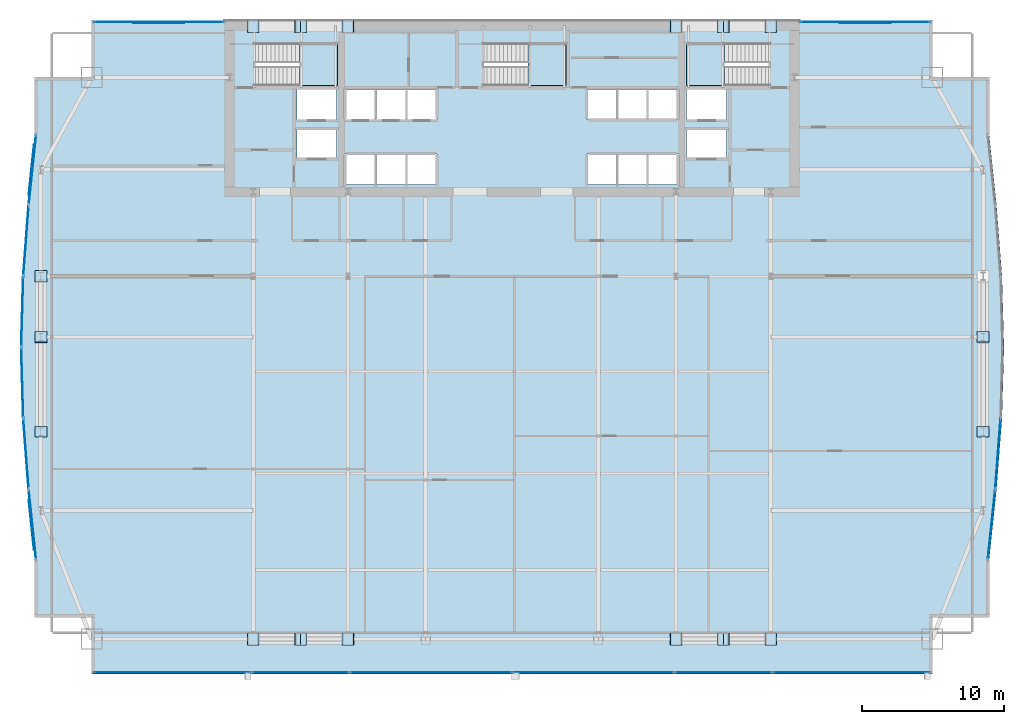
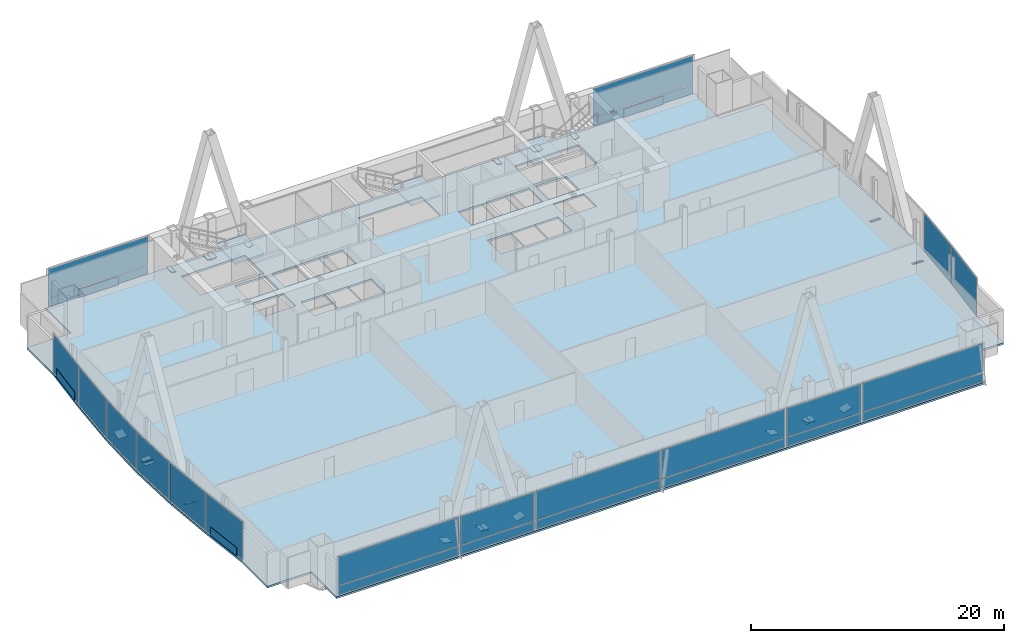
# One storey, part 26 of 32: 50 plates, 4 slabs, 18 elements without a shape of their own.
"""IFC4 building model written with IfcOpenShell, lengths in metres."""

from ifc_helpers import new_model, si_unit, direction, frame, origin, origin_2d, place, context, subcontext, project, spatial, polyline, rectangle, outline, extrude, material, layer, layer_set, type_object, element, aggregate, save


model = new_model("IFC4")

# Units and contexts
model_context = context("Model", 3, precision=1e-05, world=origin(), true_north=direction((0.0, 1.0)))
body_context = subcontext(model_context, "Body", "Model", "MODEL_VIEW")
ifc_project = project(units=[si_unit("LENGTHUNIT", "METRE"), si_unit("AREAUNIT", "SQUARE_METRE"), si_unit("VOLUMEUNIT", "CUBIC_METRE"), si_unit("PLANEANGLEUNIT", "RADIAN"), si_unit("MASSUNIT", "GRAM", prefix="KILO")], contexts=[model_context])

# Site, building, storey
site_placement = place(None, origin())
site = spatial("IfcSite", under=ifc_project, at=site_placement, CompositionType="ELEMENT")
building_placement = place(site_placement, origin())
building = spatial("IfcBuilding", under=site, at=building_placement, Name="Khoronbel Lancet Exchange", CompositionType="ELEMENT")
storey_placement = place(building_placement, frame((0.0, 0.0, 94.60009765625)))
storey = spatial("IfcBuildingStorey", under=building, at=storey_placement, Name="L22", CompositionType="ELEMENT", Elevation=94.60009765625)

# Curtain wall, plate
ifc_material_1 = material(Name="Low-E Solar Control Insulating Glass", Category="glass")
curtain_wall_type_1 = type_object("IfcCurtainWallType", Name="CW-4", PredefinedType="NOTDEFINED", material=ifc_material_1)
curtain_wall_1_placement = place(storey_placement, origin())
curtain_wall_1 = element("IfcCurtainWall", 1, at=curtain_wall_1_placement, inside=storey, type_object=curtain_wall_type_1, Name="Unitised curtain wall CW-L22-E04", PredefinedType="NOTDEFINED")
ifc_material_2 = material(Name="Bronze-Anodised Aluminium 6063-T6", Category="aluminium")
ifc_layer_1 = layer(ifc_material_2, 0.050048828125, Name="Bronze-Anodised Aluminium 6063-T6")
ifc_layer_set_1 = layer_set([ifc_layer_1], Name="Bronze-Anodised Aluminium 6063-T6")
plate_type_1 = type_object("IfcPlateType", Name="PLT-CSP1", PredefinedType="SHEET", material=ifc_layer_set_1)
plate_1_placement = place(storey_placement, frame((2.61767578125, 18.2001953125, 0.0498046875), z_axis=(0.0, 0.0, 1.0), x_axis=(-0.104434383958, 0.994531779003, 0.0)))
plate_1 = element("IfcPlate", 2, at=plate_1_placement, type_object=plate_type_1, Name="Insulated bronze spandrel cassette CW-L22-E04", PredefinedType="SHEET", context=body_context, shape_type="SweptSolid", body=[
    extrude(rectangle(XDim=3.521484375, YDim=0.050048828125, at=origin_2d()), origin(), (0.0, 0.0, 1.0), 0.800048828125),
])

curtain_wall_2_placement = place(storey_placement, origin())
curtain_wall_2 = element("IfcCurtainWall", 3, at=curtain_wall_2_placement, inside=storey, type_object=curtain_wall_type_1, Name="Unitised curtain wall CW-L22-E05", PredefinedType="NOTDEFINED")
plate_2_placement = place(storey_placement, frame((2.22265625, 23.206298828125, 0.0849609375), z_axis=(0.0, 0.0, 1.0), x_axis=(-0.076626304874, 0.997059882555, 0.0)))
plate_2 = element("IfcPlate", 4, at=plate_2_placement, type_object=plate_type_1, Name="CW4 panel 1.1", PredefinedType="CURTAIN_PANEL", context=body_context, shape_type="SweptSolid", body=[
    extrude(rectangle(XDim=4.861328125, YDim=0.0380859375, at=origin_2d()), origin(), (0.0, 0.0, 1.0), 3.64990234375),
])
aggregate(curtain_wall_2, [plate_2])

curtain_wall_3_placement = place(storey_placement, origin())
curtain_wall_3 = element("IfcCurtainWall", 5, at=curtain_wall_3_placement, inside=storey, type_object=curtain_wall_type_1, Name="Unitised curtain wall CW-L22-E06", PredefinedType="NOTDEFINED")
plate_3_placement = place(storey_placement, frame((1.960205078125, 28.202392578125, 0.0849609375), z_axis=(0.0, 0.0, 1.0), x_axis=(-0.028135315146, 0.999604123662, 0.0)))
plate_3 = element("IfcPlate", 6, at=plate_3_placement, type_object=plate_type_1, Name="CW4 panel 1.1", PredefinedType="CURTAIN_PANEL", context=body_context, shape_type="SweptSolid", body=[
    extrude(rectangle(XDim=4.84716796875, YDim=0.0380859375, at=origin_2d()), origin(), (0.0, 0.0, 1.0), 3.64990234375),
])
aggregate(curtain_wall_3, [plate_3])

curtain_wall_4_placement = place(storey_placement, origin())
curtain_wall_4 = element("IfcCurtainWall", 7, at=curtain_wall_4_placement, inside=storey, type_object=curtain_wall_type_1, Name="Unitised curtain wall CW-L22-E07", PredefinedType="NOTDEFINED")
plate_4_placement = place(storey_placement, frame((1.960205078125, 33.19775390625, 0.0849609375), z_axis=(0.0, 0.0, 1.0), x_axis=(0.028135315146, 0.999604123662, 0.0)))
plate_4 = element("IfcPlate", 8, at=plate_4_placement, type_object=plate_type_1, Name="CW4 panel 1.1", PredefinedType="CURTAIN_PANEL", context=body_context, shape_type="SweptSolid", body=[
    extrude(rectangle(XDim=4.84716796875, YDim=0.0380859375, at=origin_2d()), origin(), (0.0, 0.0, 1.0), 3.64990234375),
])
aggregate(curtain_wall_4, [plate_4])

curtain_wall_5_placement = place(storey_placement, origin())
curtain_wall_5 = element("IfcCurtainWall", 9, at=curtain_wall_5_placement, inside=storey, type_object=curtain_wall_type_1, Name="Unitised curtain wall CW-L22-E08", PredefinedType="NOTDEFINED")
plate_5_placement = place(storey_placement, frame((2.22265625, 38.193603515625, 0.0849609375), z_axis=(0.0, 0.0, 1.0), x_axis=(0.076626304874, 0.997059882555, 0.0)))
plate_5 = element("IfcPlate", 10, at=plate_5_placement, type_object=plate_type_1, Name="CW4 panel 1.1", PredefinedType="CURTAIN_PANEL", context=body_context, shape_type="SweptSolid", body=[
    extrude(rectangle(XDim=4.861328125, YDim=0.0380859375, at=origin_2d()), origin(), (0.0, 0.0, 1.0), 3.64990234375),
])
aggregate(curtain_wall_5, [plate_5])

curtain_wall_6_placement = place(storey_placement, origin())
curtain_wall_6 = element("IfcCurtainWall", 11, at=curtain_wall_6_placement, inside=storey, type_object=curtain_wall_type_1, Name="Unitised curtain wall CW-L22-E09", PredefinedType="NOTDEFINED")
plate_6_placement = place(storey_placement, frame((2.61767578125, 43.199951171875, 0.0498046875), z_axis=(0.0, 0.0, 1.0), x_axis=(0.104434383958, 0.994531779003, 0.0)))
plate_6 = element("IfcPlate", 12, at=plate_6_placement, type_object=plate_type_1, Name="Insulated bronze spandrel cassette CW-L22-E09", PredefinedType="SHEET", context=body_context, shape_type="SweptSolid", body=[
    extrude(rectangle(XDim=3.521484375, YDim=0.050048828125, at=origin_2d()), origin(), (0.0, 0.0, 1.0), 0.800048828125),
])

curtain_wall_type_2 = type_object("IfcCurtainWallType", Name="CW-2", PredefinedType="NOTDEFINED", material=ifc_material_1)
curtain_wall_7_placement = place(storey_placement, origin())
curtain_wall_7 = element("IfcCurtainWall", 13, at=curtain_wall_7_placement, inside=storey, type_object=curtain_wall_type_2, Name="Unitised curtain wall CW-L22-NWFLK", PredefinedType="NOTDEFINED")
plate_7_placement = place(storey_placement, frame((11.580078125, 53.550048828125, 0.0498046875), z_axis=(0.0, 0.0, 1.0), x_axis=(-1.0, 0.0, 0.0)))
plate_7 = element("IfcPlate", 14, at=plate_7_placement, type_object=plate_type_1, Name="Insulated bronze spandrel cassette CW-L22-NWFLK", PredefinedType="SHEET", context=body_context, shape_type="SweptSolid", body=[
    extrude(rectangle(XDim=3.60009765625, YDim=0.050048828125, at=origin_2d()), origin(), (0.0, 0.0, 1.0), 0.800048828125),
])

curtain_wall_8_placement = place(storey_placement, origin())
curtain_wall_8 = element("IfcCurtainWall", 15, at=curtain_wall_8_placement, inside=storey, type_object=curtain_wall_type_2, Name="Unitised curtain wall CW-L22-NEFLK", PredefinedType="NOTDEFINED")
plate_8_placement = place(storey_placement, frame((61.320068359375, 53.550048828125, 0.0498046875), z_axis=(0.0, 0.0, 1.0), x_axis=(-1.0, 0.0, 0.0)))
plate_8 = element("IfcPlate", 16, at=plate_8_placement, type_object=plate_type_1, Name="Insulated bronze spandrel cassette CW-L22-NEFLK", PredefinedType="SHEET", context=body_context, shape_type="SweptSolid", body=[
    extrude(rectangle(XDim=3.60009765625, YDim=0.050048828125, at=origin_2d()), origin(), (0.0, 0.0, 1.0), 0.800048828125),
])

curtain_wall_9_placement = place(storey_placement, origin())
curtain_wall_9 = element("IfcCurtainWall", 17, at=curtain_wall_9_placement, inside=storey, type_object=curtain_wall_type_1, Name="Unitised curtain wall CW-L22-E21", PredefinedType="NOTDEFINED")
plate_9_placement = place(storey_placement, frame((70.677490234375, 23.206298828125, 0.0849609375), z_axis=(0.0, 0.0, 1.0), x_axis=(-0.076626304874, -0.997059882555, 0.0)))
plate_9 = element("IfcPlate", 18, at=plate_9_placement, type_object=plate_type_1, Name="CW4 panel 1.1", PredefinedType="CURTAIN_PANEL", context=body_context, shape_type="SweptSolid", body=[
    extrude(rectangle(XDim=4.861328125, YDim=0.0380859375, at=origin_2d()), origin(), (0.0, 0.0, 1.0), 3.64990234375),
])
aggregate(curtain_wall_9, [plate_9])

# Curtain wall, plates
curtain_wall_10_placement = place(storey_placement, origin())
curtain_wall_10 = element("IfcCurtainWall", 19, at=curtain_wall_10_placement, inside=storey, type_object=curtain_wall_type_2, Name="Unitised curtain wall CW-L22-SWB", PredefinedType="NOTDEFINED")
plate_10_placement = place(storey_placement, frame((21.550048828125, 7.7900390625, 0.0849609375), z_axis=(0.0, 0.0, 1.0), x_axis=(1.0, 0.0, 0.0)))
plate_10 = element("IfcPlate", 20, at=plate_10_placement, type_object=plate_type_1, Name="CW2 panel 1.1", PredefinedType="CURTAIN_PANEL", context=body_context, shape_type="SweptSolid", body=[
    extrude(rectangle(XDim=6.72998046875, YDim=0.0380859375, at=origin_2d()), origin(), (0.0, 0.0, 1.0), 0.822509765625),
])
plate_11_placement = place(storey_placement, frame((21.550048828125, 7.7900390625, 0.99267578125), z_axis=(0.0, 0.0, 1.0), x_axis=(1.0, 0.0, 0.0)))
plate_11 = element("IfcPlate", 21, at=plate_11_placement, type_object=plate_type_1, Name="CW2 panel 1.2", PredefinedType="CURTAIN_PANEL", context=body_context, shape_type="SweptSolid", body=[
    extrude(rectangle(XDim=6.72998046875, YDim=0.0380859375, at=origin_2d()), origin(), (0.0, 0.0, 1.0), 2.742431640625),
])
aggregate(curtain_wall_10, [plate_10, plate_11])

curtain_wall_11_placement = place(storey_placement, origin())
curtain_wall_11 = element("IfcCurtainWall", 22, at=curtain_wall_11_placement, inside=storey, type_object=curtain_wall_type_2, Name="Unitised curtain wall CW-L22-SEB", PredefinedType="NOTDEFINED")
plate_12_placement = place(storey_placement, frame((51.35009765625, 7.7900390625, 0.0849609375), z_axis=(0.0, 0.0, 1.0), x_axis=(1.0, 0.0, 0.0)))
plate_12 = element("IfcPlate", 23, at=plate_12_placement, type_object=plate_type_1, Name="CW2 panel 1.1", PredefinedType="CURTAIN_PANEL", context=body_context, shape_type="SweptSolid", body=[
    extrude(rectangle(XDim=6.72998046875, YDim=0.0380859375, at=origin_2d()), origin(), (0.0, 0.0, 1.0), 0.822509765625),
])
plate_13_placement = place(storey_placement, frame((51.35009765625, 7.7900390625, 0.99267578125), z_axis=(0.0, 0.0, 1.0), x_axis=(1.0, 0.0, 0.0)))
plate_13 = element("IfcPlate", 24, at=plate_13_placement, type_object=plate_type_1, Name="CW2 panel 1.2", PredefinedType="CURTAIN_PANEL", context=body_context, shape_type="SweptSolid", body=[
    extrude(rectangle(XDim=6.72998046875, YDim=0.0380859375, at=origin_2d()), origin(), (0.0, 0.0, 1.0), 2.742431640625),
])
aggregate(curtain_wall_11, [plate_12, plate_13])

# Plate
ifc_layer_2 = layer(ifc_material_1, 0.035888671875, Name="Low-E Solar Control Insulating Glass")
ifc_layer_set_2 = layer_set([ifc_layer_2], Name="Low-E Solar Control Insulating Glass")
plate_type_2 = type_object("IfcPlateType", Name="PLT-CWP1", PredefinedType="CURTAIN_PANEL", material=ifc_layer_set_2)
plate_14_placement = place(storey_placement, frame((11.580078125, 53.610107421875, 0.0849609375), z_axis=(0.0, 0.0, 1.0), x_axis=(-1.0, 0.0, 0.0)))
plate_14 = element("IfcPlate", 25, at=plate_14_placement, type_object=plate_type_2, Name="CW2 panel 1.1", PredefinedType="CURTAIN_PANEL", context=body_context, shape_type="SweptSolid", body=[
    extrude(rectangle(XDim=9.110107421875, YDim=0.0380859375, at=origin_2d()), origin(), (0.0, 0.0, 1.0), 0.822509765625),
])

plate_15_placement = place(storey_placement, frame((11.580078125, 53.610107421875, 0.99267578125), z_axis=(0.0, 0.0, 1.0), x_axis=(-1.0, 0.0, 0.0)))
plate_15 = element("IfcPlate", 26, at=plate_15_placement, type_object=plate_type_2, Name="CW2 panel 1.2", PredefinedType="CURTAIN_PANEL", context=body_context, shape_type="SweptSolid", body=[
    extrude(rectangle(XDim=9.110107421875, YDim=0.0380859375, at=origin_2d()), origin(), (0.0, 0.0, 1.0), 2.742431640625),
])

aggregate(curtain_wall_7, [plate_14, plate_15, plate_7])

plate_16_placement = place(storey_placement, frame((61.320068359375, 53.610107421875, 0.0849609375), z_axis=(0.0, 0.0, 1.0), x_axis=(-1.0, 0.0, 0.0)))
plate_16 = element("IfcPlate", 27, at=plate_16_placement, type_object=plate_type_2, Name="CW2 panel 1.1", PredefinedType="CURTAIN_PANEL", context=body_context, shape_type="SweptSolid", body=[
    extrude(rectangle(XDim=9.110107421875, YDim=0.0380859375, at=origin_2d()), origin(), (0.0, 0.0, 1.0), 0.822509765625),
])

plate_17_placement = place(storey_placement, frame((61.320068359375, 53.610107421875, 0.99267578125), z_axis=(0.0, 0.0, 1.0), x_axis=(-1.0, 0.0, 0.0)))
plate_17 = element("IfcPlate", 28, at=plate_17_placement, type_object=plate_type_2, Name="CW2 panel 1.2", PredefinedType="CURTAIN_PANEL", context=body_context, shape_type="SweptSolid", body=[
    extrude(rectangle(XDim=9.110107421875, YDim=0.0380859375, at=origin_2d()), origin(), (0.0, 0.0, 1.0), 2.742431640625),
])

aggregate(curtain_wall_8, [plate_16, plate_17, plate_8])

# Curtain wall, plates
curtain_wall_12_placement = place(storey_placement, origin())
curtain_wall_12 = element("IfcCurtainWall", 29, at=curtain_wall_12_placement, inside=storey, type_object=curtain_wall_type_2, Name="Unitised curtain wall CW-L22-SWV", PredefinedType="NOTDEFINED")
plate_18_placement = place(storey_placement, frame((12.52001953125, 7.7900390625, 0.0849609375), z_axis=(0.0, 0.0, 1.0), x_axis=(1.0, 0.0, 0.0)))
plate_18 = element("IfcPlate", 30, at=plate_18_placement, type_object=plate_type_2, Name="CW2 panel 1.1", PredefinedType="CURTAIN_PANEL", context=body_context, shape_type="SweptSolid", body=[
    extrude(rectangle(XDim=10.989990234375, YDim=0.0380859375, at=origin_2d()), origin(), (0.0, 0.0, 1.0), 0.822509765625),
])
plate_19_placement = place(storey_placement, frame((12.52001953125, 7.7900390625, 0.99267578125), z_axis=(0.0, 0.0, 1.0), x_axis=(1.0, 0.0, 0.0)))
plate_19 = element("IfcPlate", 31, at=plate_19_placement, type_object=plate_type_2, Name="CW2 panel 1.2", PredefinedType="CURTAIN_PANEL", context=body_context, shape_type="SweptSolid", body=[
    extrude(rectangle(XDim=10.989990234375, YDim=0.0380859375, at=origin_2d()), origin(), (0.0, 0.0, 1.0), 2.742431640625),
])
aggregate(curtain_wall_12, [plate_18, plate_19])

curtain_wall_13_placement = place(storey_placement, origin())
curtain_wall_13 = element("IfcCurtainWall", 32, at=curtain_wall_13_placement, inside=storey, type_object=curtain_wall_type_2, Name="Unitised curtain wall CW-L22-SCV", PredefinedType="NOTDEFINED")
plate_20_placement = place(storey_placement, frame((30.746337890625, 7.7900390625, 0.0849609375), z_axis=(0.0, 0.0, 1.0), x_axis=(1.0, 0.0, 0.0)))
plate_20 = element("IfcPlate", 33, at=plate_20_placement, type_object=plate_type_2, Name="CW2 panel 1.1", PredefinedType="CURTAIN_PANEL", context=body_context, shape_type="SweptSolid", body=[
    extrude(rectangle(XDim=11.322509765625, YDim=0.0380859375, at=origin_2d()), origin(), (0.0, 0.0, 1.0), 0.822509765625),
])
plate_21_placement = place(storey_placement, frame((30.746337890625, 7.7900390625, 0.99267578125), z_axis=(0.0, 0.0, 1.0), x_axis=(1.0, 0.0, 0.0)))
plate_21 = element("IfcPlate", 34, at=plate_21_placement, type_object=plate_type_2, Name="CW2 panel 1.2", PredefinedType="CURTAIN_PANEL", context=body_context, shape_type="SweptSolid", body=[
    extrude(rectangle(XDim=11.322509765625, YDim=0.0380859375, at=origin_2d()), origin(), (0.0, 0.0, 1.0), 2.742431640625),
])
plate_22_placement = place(storey_placement, frame((42.15380859375, 7.7900390625, 0.0849609375), z_axis=(0.0, 0.0, 1.0), x_axis=(1.0, 0.0, 0.0)))
plate_22 = element("IfcPlate", 35, at=plate_22_placement, type_object=plate_type_2, Name="CW2 panel 2.1", PredefinedType="CURTAIN_PANEL", context=body_context, shape_type="SweptSolid", body=[
    extrude(rectangle(XDim=11.322509765625, YDim=0.0380859375, at=origin_2d()), origin(), (0.0, 0.0, 1.0), 0.822509765625),
])
plate_23_placement = place(storey_placement, frame((42.15380859375, 7.7900390625, 0.99267578125), z_axis=(0.0, 0.0, 1.0), x_axis=(1.0, 0.0, 0.0)))
plate_23 = element("IfcPlate", 36, at=plate_23_placement, type_object=plate_type_2, Name="CW2 panel 2.2", PredefinedType="CURTAIN_PANEL", context=body_context, shape_type="SweptSolid", body=[
    extrude(rectangle(XDim=11.322509765625, YDim=0.0380859375, at=origin_2d()), origin(), (0.0, 0.0, 1.0), 2.742431640625),
])
aggregate(curtain_wall_13, [plate_20, plate_21, plate_22, plate_23])

curtain_wall_14_placement = place(storey_placement, origin())
curtain_wall_14 = element("IfcCurtainWall", 37, at=curtain_wall_14_placement, inside=storey, type_object=curtain_wall_type_2, Name="Unitised curtain wall CW-L22-SEV", PredefinedType="NOTDEFINED")
plate_24_placement = place(storey_placement, frame((60.3798828125, 7.7900390625, 0.0849609375), z_axis=(0.0, 0.0, 1.0), x_axis=(1.0, 0.0, 0.0)))
plate_24 = element("IfcPlate", 38, at=plate_24_placement, type_object=plate_type_2, Name="CW2 panel 1.1", PredefinedType="CURTAIN_PANEL", context=body_context, shape_type="SweptSolid", body=[
    extrude(rectangle(XDim=10.989990234375, YDim=0.0380859375, at=origin_2d()), origin(), (0.0, 0.0, 1.0), 0.822509765625),
])
plate_25_placement = place(storey_placement, frame((60.3798828125, 7.7900390625, 0.99267578125), z_axis=(0.0, 0.0, 1.0), x_axis=(1.0, 0.0, 0.0)))
plate_25 = element("IfcPlate", 39, at=plate_25_placement, type_object=plate_type_2, Name="CW2 panel 1.2", PredefinedType="CURTAIN_PANEL", context=body_context, shape_type="SweptSolid", body=[
    extrude(rectangle(XDim=10.989990234375, YDim=0.0380859375, at=origin_2d()), origin(), (0.0, 0.0, 1.0), 2.742431640625),
])
aggregate(curtain_wall_14, [plate_24, plate_25])

# Plate
ifc_material_3 = material(Name="Ceramic-Fritted Laminated Insulating Glass", Category="glass")
ifc_layer_3 = layer(ifc_material_3, 0.0419921875, Name="Ceramic-Fritted Laminated Insulating Glass")
ifc_layer_set_3 = layer_set([ifc_layer_3], Name="Ceramic-Fritted Laminated Insulating Glass")
plate_type_3 = type_object("IfcPlateType", Name="PLT-CWP2", PredefinedType="CURTAIN_PANEL", material=ifc_layer_set_3)
plate_26_placement = place(storey_placement, frame((2.67724609375, 18.206298828125, 0.0849609375), z_axis=(0.0, 0.0, 1.0), x_axis=(-0.104434383958, 0.994531779003, 0.0)))
plate_26 = element("IfcPlate", 40, at=plate_26_placement, type_object=plate_type_3, Name="CW4 panel 1.1", PredefinedType="CURTAIN_PANEL", context=body_context, shape_type="SweptSolid", body=[
    extrude(rectangle(XDim=4.880859375, YDim=0.0380859375, at=origin_2d()), origin(), (0.0, 0.0, 1.0), 3.64990234375),
])

aggregate(curtain_wall_1, [plate_26, plate_1])

plate_27_placement = place(storey_placement, frame((2.67724609375, 43.193603515625, 0.0849609375), z_axis=(0.0, 0.0, 1.0), x_axis=(0.104434383958, 0.994531779003, 0.0)))
plate_27 = element("IfcPlate", 41, at=plate_27_placement, type_object=plate_type_3, Name="CW4 panel 1.1", PredefinedType="CURTAIN_PANEL", context=body_context, shape_type="SweptSolid", body=[
    extrude(rectangle(XDim=4.880859375, YDim=0.0380859375, at=origin_2d()), origin(), (0.0, 0.0, 1.0), 3.64990234375),
])

aggregate(curtain_wall_6, [plate_27, plate_6])

# Curtain wall, plate
curtain_wall_15_placement = place(storey_placement, origin())
curtain_wall_15 = element("IfcCurtainWall", 42, at=curtain_wall_15_placement, inside=storey, type_object=curtain_wall_type_1, Name="Unitised curtain wall CW-L22-E22", PredefinedType="NOTDEFINED")
plate_28_placement = place(storey_placement, frame((70.22265625, 18.206298828125, 0.0849609375), z_axis=(0.0, 0.0, 1.0), x_axis=(-0.104434383958, -0.994531779003, 0.0)))
plate_28 = element("IfcPlate", 43, at=plate_28_placement, type_object=plate_type_3, Name="CW4 panel 1.1", PredefinedType="CURTAIN_PANEL", context=body_context, shape_type="SweptSolid", body=[
    extrude(rectangle(XDim=4.880859375, YDim=0.0380859375, at=origin_2d()), origin(), (0.0, 0.0, 1.0), 3.64990234375),
])
aggregate(curtain_wall_15, [plate_28])

# Plates
ifc_material_4 = material(Name="Steel S460", Category="steel")
ifc_layer_4 = layer(ifc_material_4, 0.044921875, Name="Steel S460")
ifc_layer_set_4 = layer_set([ifc_layer_4], Name="Steel S460")
plate_type_4 = type_object("IfcPlateType", Name="PLT-ECP1", PredefinedType="USERDEFINED", material=ifc_layer_set_4)
for number, where, z_axis, x_axis, name in (
    (44, (21.977294921875, 9.72998046875, -0.07421875), (0.252232622702, 0.0, 0.967666628568), (0.0, 1.0, 0.0), "Hollow end cap plate PLT-CAP-MEM-MB-T06-S-W-L-1"),
    (45, (21.147705078125, 10.570068359375, -0.07421875), (-0.252232622702, 0.0, 0.967666628568), (0.0, -1.0, 0.0), "Hollow end cap plate PLT-CAP-MEM-MB-T06-S-W-R-1"),
):
    element("IfcPlate", number, at=place(storey_placement, frame(where, z_axis=z_axis, x_axis=x_axis)), inside=storey, type_object=plate_type_4, Name=name, ObjectType="STIFFENER_PLATE", PredefinedType="USERDEFINED", context=body_context, shape_type="SweptSolid", body=[
        extrude(outline(polyline([(0.0, 0.0), (0.840087890625, 0.0), (0.840087890625, 0.840087890625), (0.0, 0.840087890625), (0.0, 0.0)])), origin(), (0.0, 0.0, -1.0), 0.044921875),
    ])
for number, where, z_axis, x_axis, name in (
    (46, (51.752197265625, 9.72998046875, -0.07421875), (0.252303568477, 0.0, 0.967648133018), (0.0, 1.0, 0.0), "Hollow end cap plate PLT-CAP-MEM-MB-T06-S-E-L-1"),
    (47, (50.9228515625, 10.570068359375, -0.07421875), (-0.252303568477, 0.0, 0.967648133018), (0.0, -1.0, 0.0), "Hollow end cap plate PLT-CAP-MEM-MB-T06-S-E-R-1"),
):
    element("IfcPlate", number, at=place(storey_placement, frame(where, z_axis=z_axis, x_axis=x_axis)), inside=storey, type_object=plate_type_4, Name=name, ObjectType="STIFFENER_PLATE", PredefinedType="USERDEFINED", context=body_context, shape_type="SweptSolid", body=[
        extrude(outline(polyline([(0.0, 0.0), (0.840087890625, 0.0), (0.840087890625, 0.83984375), (0.0, 0.83984375), (0.0, 0.0)])), origin(), (0.0, 0.0, -1.0), 0.044921875),
    ])
for number, where, z_axis, x_axis, name in (
    (48, (21.977294921875, 52.860107421875, -0.07421875), (0.252232622702, 0.0, 0.967666628568), (0.0, 1.0, 0.0), "Hollow end cap plate PLT-CAP-MEM-MB-T06-N-W-L-1"),
    (49, (21.147705078125, 53.699951171875, -0.07421875), (-0.252232622702, 0.0, 0.967666628568), (0.0, -1.0, 0.0), "Hollow end cap plate PLT-CAP-MEM-MB-T06-N-W-R-1"),
):
    element("IfcPlate", number, at=place(storey_placement, frame(where, z_axis=z_axis, x_axis=x_axis)), inside=storey, type_object=plate_type_4, Name=name, ObjectType="STIFFENER_PLATE", PredefinedType="USERDEFINED", context=body_context, shape_type="SweptSolid", body=[
        extrude(outline(polyline([(0.0, 0.0), (0.83984375, 0.0), (0.83984375, 0.840087890625), (0.0, 0.840087890625), (0.0, 0.0)])), origin(), (0.0, 0.0, -1.0), 0.044921875),
    ])
for number, where, z_axis, x_axis, name in (
    (50, (51.752197265625, 52.860107421875, -0.07421875), (0.252303568477, 0.0, 0.967648133018), (0.0, 1.0, 0.0), "Hollow end cap plate PLT-CAP-MEM-MB-T06-N-E-L-1"),
    (51, (50.9228515625, 53.699951171875, -0.07421875), (-0.252303568477, 0.0, 0.967648133018), (0.0, -1.0, 0.0), "Hollow end cap plate PLT-CAP-MEM-MB-T06-N-E-R-1"),
):
    element("IfcPlate", number, at=place(storey_placement, frame(where, z_axis=z_axis, x_axis=x_axis)), inside=storey, type_object=plate_type_4, Name=name, ObjectType="STIFFENER_PLATE", PredefinedType="USERDEFINED", context=body_context, shape_type="SweptSolid", body=[
        extrude(outline(polyline([(0.0, 0.0), (0.83984375, 0.0), (0.83984375, 0.83984375), (0.0, 0.83984375), (0.0, 0.0)])), origin(), (0.0, 0.0, -1.0), 0.044921875),
    ])
for number, where, z_axis, x_axis, name in (
    (52, (3.68994140625, 31.812744140625, -0.1650390625), (0.0, 0.462377287185, 0.886683282968), (-1.0, 0.0, 0.0), "Hollow end cap plate PLT-CAP-MEM-MB-T06-W-P-L-1"),
    (53, (2.85009765625, 31.01611328125, -0.101806640625), (0.0, -0.316750792652, 0.948508795612), (1.0, 0.0, 0.0), "Hollow end cap plate PLT-CAP-MEM-MB-T06-W-P-R-1"),
):
    element("IfcPlate", number, at=place(storey_placement, frame(where, z_axis=z_axis, x_axis=x_axis)), inside=storey, type_object=plate_type_4, Name=name, ObjectType="STIFFENER_PLATE", PredefinedType="USERDEFINED", context=body_context, shape_type="SweptSolid", body=[
        extrude(outline(polyline([(0.0, 0.0), (0.83984375, 0.0), (0.83984375, 0.840087890625), (0.0, 0.840087890625), (0.0, 0.0)])), origin(), (0.0, 0.0, -1.0), 0.044921875),
    ])
for number, where, z_axis, x_axis, name in (
    (54, (70.050048828125, 31.812744140625, -0.1650390625), (0.0, 0.462377287185, 0.886683282968), (-1.0, 0.0, 0.0), "Hollow end cap plate PLT-CAP-MEM-MB-T06-E-P-L-1"),
    (55, (18.6328125, 9.72998046875, -0.10107421875), (0.26795862665, 0.0, 0.963430420115), (0.0, 1.0, 0.0), "Hollow end cap plate PLT-CAP-MEM-MB-T07-S-W-L-0"),
    (56, (24.4921875, 10.570068359375, -0.10107421875), (-0.26795862665, 0.0, 0.963430420115), (0.0, -1.0, 0.0), "Hollow end cap plate PLT-CAP-MEM-MB-T07-S-W-R-0"),
    (57, (48.407958984375, 9.72998046875, -0.10107421875), (0.26795862665, 0.0, 0.963430420115), (0.0, 1.0, 0.0), "Hollow end cap plate PLT-CAP-MEM-MB-T07-S-E-L-0"),
    (58, (54.26708984375, 10.570068359375, -0.10107421875), (-0.26795862665, 0.0, 0.963430420115), (0.0, -1.0, 0.0), "Hollow end cap plate PLT-CAP-MEM-MB-T07-S-E-R-0"),
):
    element("IfcPlate", number, at=place(storey_placement, frame(where, z_axis=z_axis, x_axis=x_axis)), inside=storey, type_object=plate_type_4, Name=name, ObjectType="STIFFENER_PLATE", PredefinedType="USERDEFINED", context=body_context, shape_type="SweptSolid", body=[
        extrude(outline(polyline([(0.0, 0.0), (0.840087890625, 0.0), (0.840087890625, 0.840087890625), (0.0, 0.840087890625), (0.0, 0.0)])), origin(), (0.0, 0.0, -1.0), 0.044921875),
    ])
for number, where, z_axis, x_axis, name in (
    (59, (18.6328125, 52.860107421875, -0.10107421875), (0.26795862665, 0.0, 0.963430420115), (0.0, 1.0, 0.0), "Hollow end cap plate PLT-CAP-MEM-MB-T07-N-W-L-0"),
    (60, (24.4921875, 53.699951171875, -0.10107421875), (-0.26795862665, 0.0, 0.963430420115), (0.0, -1.0, 0.0), "Hollow end cap plate PLT-CAP-MEM-MB-T07-N-W-R-0"),
    (61, (48.407958984375, 52.860107421875, -0.10107421875), (0.26795862665, 0.0, 0.963430420115), (0.0, 1.0, 0.0), "Hollow end cap plate PLT-CAP-MEM-MB-T07-N-E-L-0"),
    (62, (54.26708984375, 53.699951171875, -0.10107421875), (-0.26795862665, 0.0, 0.963430420115), (0.0, -1.0, 0.0), "Hollow end cap plate PLT-CAP-MEM-MB-T07-N-E-R-0"),
):
    element("IfcPlate", number, at=place(storey_placement, frame(where, z_axis=z_axis, x_axis=x_axis)), inside=storey, type_object=plate_type_4, Name=name, ObjectType="STIFFENER_PLATE", PredefinedType="USERDEFINED", context=body_context, shape_type="SweptSolid", body=[
        extrude(outline(polyline([(0.0, 0.0), (0.83984375, 0.0), (0.83984375, 0.840087890625), (0.0, 0.840087890625), (0.0, 0.0)])), origin(), (0.0, 0.0, -1.0), 0.044921875),
    ])
for number, where, z_axis, x_axis, name in (
    (63, (3.68994140625, 25.122802734375, -0.19384765625), (0.0, 0.486309162349, 0.873786815314), (-1.0, 0.0, 0.0), "Hollow end cap plate PLT-CAP-MEM-MB-T07-W-P-L-0"),
    (64, (2.85009765625, 35.30029296875, -0.129638671875), (0.0, -0.335433979759, 0.942063716116), (1.0, 0.0, 0.0), "Hollow end cap plate PLT-CAP-MEM-MB-T07-W-P-R-0"),
):
    element("IfcPlate", number, at=place(storey_placement, frame(where, z_axis=z_axis, x_axis=x_axis)), inside=storey, type_object=plate_type_4, Name=name, ObjectType="STIFFENER_PLATE", PredefinedType="USERDEFINED", context=body_context, shape_type="SweptSolid", body=[
        extrude(outline(polyline([(0.0, 0.0), (0.83984375, 0.0), (0.83984375, 0.83984375), (0.0, 0.83984375), (0.0, 0.0)])), origin(), (0.0, 0.0, -1.0), 0.044921875),
    ])
plate_29_placement = place(storey_placement, frame((70.050048828125, 25.122802734375, -0.19384765625), z_axis=(0.0, 0.486309162349, 0.873786815314), x_axis=(-1.0, 0.0, 0.0)))
element("IfcPlate", 65, at=plate_29_placement, inside=storey, type_object=plate_type_4, Name="Hollow end cap plate PLT-CAP-MEM-MB-T07-E-P-L-0", ObjectType="STIFFENER_PLATE", PredefinedType="USERDEFINED", context=body_context, shape_type="SweptSolid", body=[
    extrude(outline(polyline([(0.0, 0.0), (0.840087890625, 0.0), (0.840087890625, 0.83984375), (0.0, 0.83984375), (0.0, 0.0)])), origin(), (0.0, 0.0, -1.0), 0.044921875),
])

# Slab
ifc_material_5 = material(Name="Concrete C40/50", Category="concrete")
ifc_layer_5 = layer(ifc_material_5, 0.179931640625, Name="Concrete C40/50")
ifc_layer_set_5 = layer_set([ifc_layer_5], Name="Concrete C40/50")
slab_type_1 = type_object("IfcSlabType", Name="SL-FL180", PredefinedType="FLOOR", material=ifc_layer_set_5)
slab_1_placement = place(storey_placement, frame((0.0, 0.0, -0.18017578125)))
element("IfcSlab", 66, at=slab_1_placement, inside=storey, type_object=slab_type_1, Name="Level L22 composite structural floor slab", PredefinedType="FLOOR", context=body_context, shape_type="SweptSolid", body=[
    extrude(outline(polyline([(6.85009765625, 7.699951171875), (66.050048828125, 7.699951171875), (66.050048828125, 11.699951171875), (70.050048828125, 11.699951171875), (70.050048828125, 15.699951171875), (70.574951171875, 20.699951171875), (70.959228515625, 25.699951171875), (71.10009765625, 30.699951171875), (70.959228515625, 35.699951171875), (70.574951171875, 40.699951171875), (70.050048828125, 45.699951171875), (70.050048828125, 49.699951171875), (66.050048828125, 49.699951171875), (66.050048828125, 53.699951171875), (6.85009765625, 53.699951171875), (6.85009765625, 49.699951171875), (2.85009765625, 49.699951171875), (2.85009765625, 45.699951171875), (2.324951171875, 40.699951171875), (1.940673828125, 35.699951171875), (1.800048828125, 30.699951171875), (1.940673828125, 25.699951171875), (2.324951171875, 20.699951171875), (2.85009765625, 15.699951171875), (2.85009765625, 11.699951171875), (6.85009765625, 11.699951171875), (6.85009765625, 7.699951171875)]), holes=[polyline([(18.324951171875, 49.1201171875), (24.14990234375, 49.1201171875), (24.14990234375, 52.10009765625), (18.324951171875, 52.10009765625), (18.324951171875, 49.1201171875)]), polyline([(48.75, 49.1201171875), (54.574951171875, 49.1201171875), (54.574951171875, 52.10009765625), (48.75, 52.10009765625), (48.75, 49.1201171875)]), polyline([(34.425048828125, 49.1201171875), (40.25, 49.1201171875), (40.25, 52.10009765625), (34.425048828125, 52.10009765625), (34.425048828125, 49.1201171875)]), polyline([(24.699951171875, 46.75), (26.840087890625, 46.75), (26.840087890625, 48.85009765625), (24.699951171875, 48.85009765625), (24.699951171875, 46.75)]), polyline([(26.860107421875, 46.75), (29.0, 46.75), (29.0, 48.85009765625), (26.860107421875, 48.85009765625), (26.860107421875, 46.75)]), polyline([(29.02001953125, 46.75), (31.159912109375, 46.75), (31.159912109375, 48.85009765625), (29.02001953125, 48.85009765625), (29.02001953125, 46.75)]), polyline([(24.699951171875, 42.14990234375), (26.840087890625, 42.14990234375), (26.840087890625, 44.300048828125), (24.699951171875, 44.300048828125), (24.699951171875, 42.14990234375)]), polyline([(26.860107421875, 42.14990234375), (29.0, 42.14990234375), (29.0, 44.300048828125), (26.860107421875, 44.300048828125), (26.860107421875, 42.14990234375)]), polyline([(29.02001953125, 42.14990234375), (31.159912109375, 42.14990234375), (31.159912109375, 44.300048828125), (29.02001953125, 44.300048828125), (29.02001953125, 42.14990234375)]), polyline([(41.739990234375, 46.75), (43.8798828125, 46.75), (43.8798828125, 48.85009765625), (41.739990234375, 48.85009765625), (41.739990234375, 46.75)]), polyline([(43.89990234375, 46.75), (46.0400390625, 46.75), (46.0400390625, 48.85009765625), (43.89990234375, 48.85009765625), (43.89990234375, 46.75)]), polyline([(46.06005859375, 46.75), (48.199951171875, 46.75), (48.199951171875, 48.85009765625), (46.06005859375, 48.85009765625), (46.06005859375, 46.75)]), polyline([(41.739990234375, 42.14990234375), (43.8798828125, 42.14990234375), (43.8798828125, 44.300048828125), (41.739990234375, 44.300048828125), (41.739990234375, 42.14990234375)]), polyline([(43.89990234375, 42.14990234375), (46.0400390625, 42.14990234375), (46.0400390625, 44.300048828125), (43.89990234375, 44.300048828125), (43.89990234375, 42.14990234375)]), polyline([(46.06005859375, 42.14990234375), (48.199951171875, 42.14990234375), (48.199951171875, 44.300048828125), (46.06005859375, 44.300048828125), (46.06005859375, 42.14990234375)]), polyline([(21.300048828125, 46.75), (24.10009765625, 46.75), (24.10009765625, 48.85009765625), (21.300048828125, 48.85009765625), (21.300048828125, 46.75)]), polyline([(48.75, 46.75), (51.550048828125, 46.75), (51.550048828125, 48.85009765625), (48.75, 48.85009765625), (48.75, 46.75)]), polyline([(21.300048828125, 44.050048828125), (24.10009765625, 44.050048828125), (24.10009765625, 46.050048828125), (21.300048828125, 46.050048828125), (21.300048828125, 44.050048828125)]), polyline([(48.75, 44.050048828125), (51.550048828125, 44.050048828125), (51.550048828125, 46.050048828125), (48.75, 46.050048828125), (48.75, 44.050048828125)])]), origin(), (0.0, 0.0, 1.0), 0.18017578125),
])

# Stair, slab
stair_type = type_object("IfcStairType", Name="STR-CORE150", PredefinedType="HALF_TURN_STAIR", material=ifc_material_5)
stair_1_placement = place(storey_placement, origin())
stair_1 = element("IfcStair", 67, at=stair_1_placement, inside=storey, type_object=stair_type, Name="L22 Protected Exit Stair ST1", PredefinedType="HALF_TURN_STAIR")
ifc_layer_6 = layer(ifc_material_5, 0.199951171875, Name="Concrete C40/50")
ifc_layer_set_6 = layer_set([ifc_layer_6], Name="Concrete C40/50")
slab_type_2 = type_object("IfcSlabType", Name="SL-LND180", PredefinedType="LANDING", material=ifc_layer_set_6)
slab_2_placement = place(storey_placement, frame((0.0, 0.0, 1.7998046875)))
slab_2 = element("IfcSlab", 68, at=slab_2_placement, type_object=slab_type_2, Name="ST1 landing 1", PredefinedType="LANDING", context=body_context, shape_type="SweptSolid", body=[
    extrude(outline(polyline([(21.489990234375, 49.1201171875), (24.14990234375, 49.1201171875), (24.14990234375, 52.10009765625), (21.489990234375, 52.10009765625), (21.489990234375, 49.1201171875)])), origin(), (0.0, 0.0, 1.0), 0.2001953125),
])
aggregate(stair_1, [slab_2])

stair_2_placement = place(storey_placement, origin())
stair_2 = element("IfcStair", 69, at=stair_2_placement, inside=storey, type_object=stair_type, Name="L22 Protected Exit Stair ST2", PredefinedType="HALF_TURN_STAIR")
slab_3_placement = place(storey_placement, frame((0.0, 0.0, 1.7998046875)))
slab_3 = element("IfcSlab", 70, at=slab_3_placement, type_object=slab_type_2, Name="ST2 landing 1", PredefinedType="LANDING", context=body_context, shape_type="SweptSolid", body=[
    extrude(outline(polyline([(51.409912109375, 52.10009765625), (48.75, 52.10009765625), (48.75, 49.1201171875), (51.409912109375, 49.1201171875), (51.409912109375, 52.10009765625)])), origin(), (0.0, 0.0, 1.0), 0.2001953125),
])
aggregate(stair_2, [slab_3])

stair_3_placement = place(storey_placement, origin())
stair_3 = element("IfcStair", 71, at=stair_3_placement, inside=storey, type_object=stair_type, Name="L22 Protected Exit Stair ST3", PredefinedType="HALF_TURN_STAIR")
slab_4_placement = place(storey_placement, frame((0.0, 0.0, 1.7998046875)))
slab_4 = element("IfcSlab", 72, at=slab_4_placement, type_object=slab_type_2, Name="ST3 landing 1", PredefinedType="LANDING", context=body_context, shape_type="SweptSolid", body=[
    extrude(outline(polyline([(37.590087890625, 49.1201171875), (40.25, 49.1201171875), (40.25, 52.10009765625), (37.590087890625, 52.10009765625), (37.590087890625, 49.1201171875)])), origin(), (0.0, 0.0, 1.0), 0.2001953125),
])
aggregate(stair_3, [slab_4])

save(model, "model.ifc")
